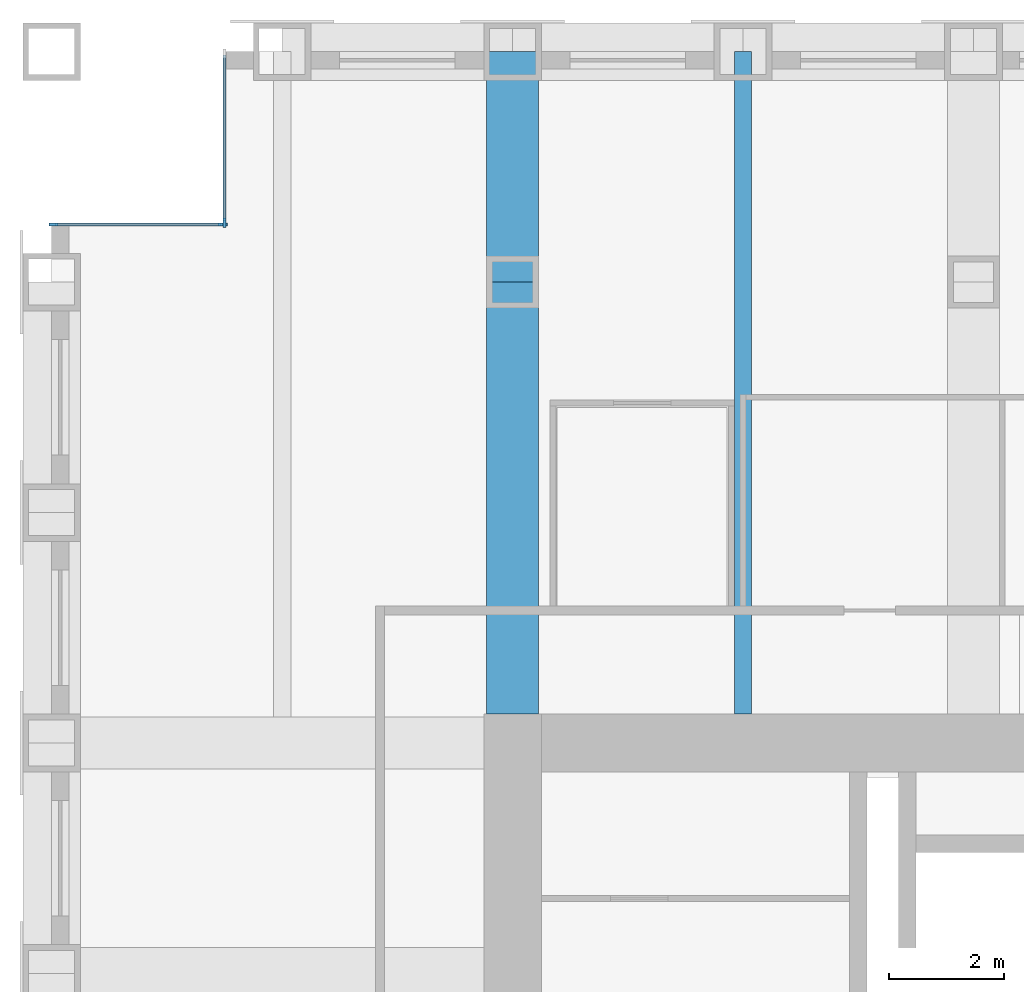
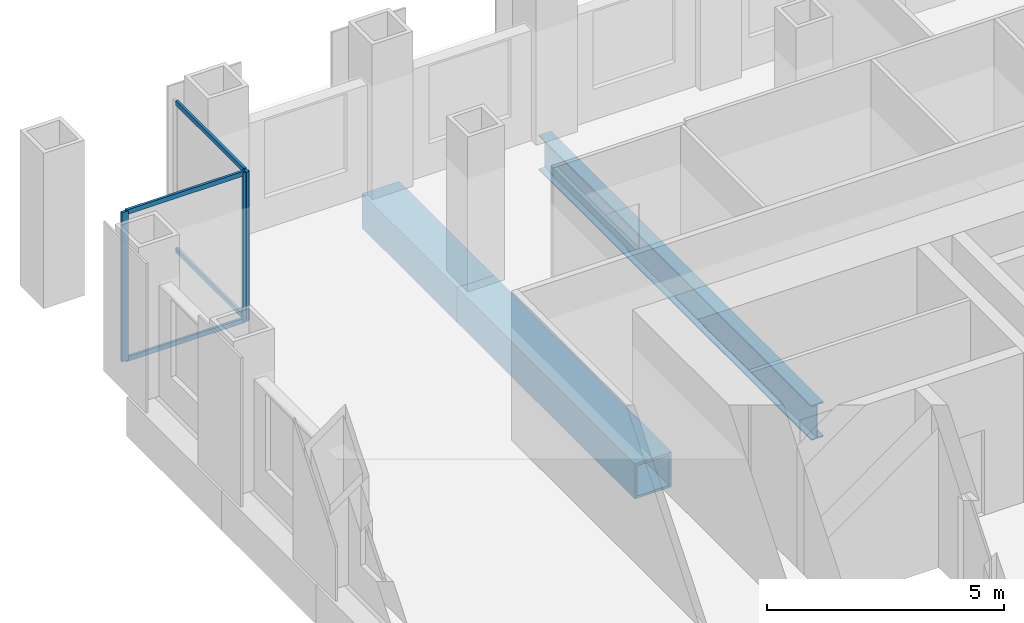
# One storey, part 6 of 16: 7 members, 3 beams, 2 elements without a shape of their own.
"""IFC4 building model written with IfcOpenShell, lengths in metres."""

from ifc_helpers import new_model, si_unit, direction, frame, origin, origin_2d, place, context, subcontext, project, spatial, rectangle, hollow_rectangle, i_section, extrude, material, material_profile, profile_set, type_object, element, aggregate, save


model = new_model("IFC4")

# Units and contexts
model_context = context("Model", 3, precision=1e-05, world=origin(), true_north=direction((0.0, 1.0)))
body_context = subcontext(model_context, "Body", "Model", "MODEL_VIEW")
ifc_project = project(units=[si_unit("LENGTHUNIT", "METRE"), si_unit("AREAUNIT", "SQUARE_METRE"), si_unit("VOLUMEUNIT", "CUBIC_METRE"), si_unit("PLANEANGLEUNIT", "RADIAN"), si_unit("MASSUNIT", "GRAM", prefix="KILO")], contexts=[model_context])

# Site, building, storey
site_placement = place(None, origin())
site = spatial("IfcSite", under=ifc_project, at=site_placement, CompositionType="ELEMENT")
building_placement = place(site_placement, origin())
building = spatial("IfcBuilding", under=site, at=building_placement, Name="Rimbunsela Tower", CompositionType="ELEMENT")
storey_placement = place(building_placement, frame((0.0, 0.0, 93.39990234375)))
storey = spatial("IfcBuildingStorey", under=building, at=storey_placement, Name="L22", CompositionType="ELEMENT", Elevation=93.39990234375)

# Beams
ifc_material_1 = material(Name="Steel BJ 55 (fy 410 MPa)", Category="steel")
ifc_material_profile_1 = material_profile(ifc_material_1, hollow_rectangle(XDim=0.89990234375, YDim=0.89990234375, WallThickness=0.06005859375, at=origin_2d()), Name="BOX 900x900x60")
ifc_profile_set_1 = profile_set([ifc_material_profile_1], Name="Steel BJ 55 (fy 410 MPa)")
beam_type_1 = type_object("IfcBeamType", Name="Beam BOX 900x900x60", PredefinedType="BEAM", material=ifc_profile_set_1)
beam_1_placement = place(storey_placement, frame((18.0, 36.5, -0.599853515625), z_axis=(0.0, 1.0, 0.0), x_axis=(-1.0, 0.0, 0.0)))
element("IfcBeam", 1, at=beam_1_placement, inside=storey, type_object=beam_type_1, Name="Beam B1 L22", PredefinedType="BEAM", context=body_context, shape_type="SweptSolid", body=[
    extrude(hollow_rectangle(XDim=0.89990234375, YDim=0.89990234375, WallThickness=0.06005859375, at=origin_2d()), origin(), (0.0, 0.0, 1.0), 7.5),
])
beam_2_placement = place(storey_placement, frame((18.0, 44.0, -0.599853515625), z_axis=(0.0, 1.0, 0.0), x_axis=(-1.0, 0.0, 0.0)))
element("IfcBeam", 2, at=beam_2_placement, inside=storey, type_object=beam_type_1, Name="Beam B1 L22", PredefinedType="BEAM", context=body_context, shape_type="SweptSolid", body=[
    extrude(hollow_rectangle(XDim=0.89990234375, YDim=0.89990234375, WallThickness=0.06005859375, at=origin_2d()), origin(), (0.0, 0.0, 1.0), 4.0),
])
ifc_material_2 = material(Name="Steel BJ 55 (fy 410 MPa)", Category="steel")
ifc_material_profile_2 = material_profile(ifc_material_2, i_section(OverallWidth=0.300048828125, OverallDepth=0.89990234375, WebThickness=0.01611328125, FlangeThickness=0.028076171875, FilletRadius=0.028076171875, at=origin_2d()), Name="H 900x300x16x28")
ifc_profile_set_2 = profile_set([ifc_material_profile_2], Name="Steel BJ 55 (fy 410 MPa)")
beam_type_2 = type_object("IfcBeamType", Name="Beam H 900x300x16x28", PredefinedType="BEAM", material=ifc_profile_set_2)
beam_3_placement = place(storey_placement, frame((22.0, 36.5, -0.599853515625), z_axis=(0.0, 1.0, 0.0), x_axis=(-1.0, 0.0, 0.0)))
element("IfcBeam", 3, at=beam_3_placement, inside=storey, type_object=beam_type_2, Name="Beam B2 L22", PredefinedType="BEAM", context=body_context, shape_type="SweptSolid", body=[
    extrude(i_section(OverallWidth=0.300048828125, OverallDepth=0.89990234375, WebThickness=0.01611328125, FlangeThickness=0.028076171875, FilletRadius=0.028076171875, at=origin_2d()), origin(), (0.0, 0.0, 1.0), 11.5),
])

# Curtain wall, member
ifc_material_3 = material(Name="Aluminium curtain wall", Category="aluminium")
curtain_wall_type = type_object("IfcCurtainWallType", Name="Corner glazing", PredefinedType="USERDEFINED", material=ifc_material_3)
curtain_wall_1_placement = place(storey_placement, origin())
curtain_wall_1 = element("IfcCurtainWall", 4, at=curtain_wall_1_placement, inside=storey, type_object=curtain_wall_type, Name="Corner glazing L22", ObjectType="CORNER GLAZING", PredefinedType="USERDEFINED")
ifc_material_4 = material(Name="Aluminium mullion", Category="aluminium")
ifc_material_profile_3 = material_profile(ifc_material_4, rectangle(XDim=0.06005859375, YDim=0.159912109375, at=origin_2d()), Name="Mullion 60x160")
ifc_profile_set_3 = profile_set([ifc_material_profile_3], Name="Aluminium mullion")
member_type_1 = type_object("IfcMemberType", Name="Curtain wall mullion 60x160", PredefinedType="MULLION", material=ifc_profile_set_3)
member_1_placement = place(storey_placement, frame((13.0, 45.030029296875, 0.0), z_axis=(0.0, 0.0, 1.0), x_axis=(1.0, 0.0, 0.0)))
member_1 = element("IfcMember", 5, at=member_1_placement, type_object=member_type_1, Name="CW5 mullion 2", PredefinedType="MULLION", context=body_context, shape_type="SweptSolid", body=[
    extrude(rectangle(XDim=0.06005859375, YDim=0.159912109375, at=origin_2d()), origin(), (0.0, 0.0, 1.0), 3.85009765625),
])

# Curtain wall, members
curtain_wall_2_placement = place(storey_placement, origin())
curtain_wall_2 = element("IfcCurtainWall", 6, at=curtain_wall_2_placement, inside=storey, type_object=curtain_wall_type, Name="Corner glazing L22", ObjectType="CORNER GLAZING", PredefinedType="USERDEFINED")
member_2_placement = place(storey_placement, frame((12.969970703125, 45.0, 0.0), z_axis=(0.0, 0.0, 1.0), x_axis=(0.0, -1.0, 0.0)))
member_2 = element("IfcMember", 7, at=member_2_placement, type_object=member_type_1, Name="CW5 mullion 1", PredefinedType="MULLION", context=body_context, shape_type="SweptSolid", body=[
    extrude(rectangle(XDim=0.06005859375, YDim=0.159912109375, at=origin_2d()), origin(), (0.0, 0.0, 1.0), 3.85009765625),
])
member_3_placement = place(storey_placement, frame((10.030029296875, 45.0, 0.0), z_axis=(0.0, 0.0, 1.0), x_axis=(0.0, -1.0, 0.0)))
member_3 = element("IfcMember", 8, at=member_3_placement, type_object=member_type_1, Name="CW5 mullion 2", PredefinedType="MULLION", context=body_context, shape_type="SweptSolid", body=[
    extrude(rectangle(XDim=0.06005859375, YDim=0.159912109375, at=origin_2d()), origin(), (0.0, 0.0, 1.0), 3.85009765625),
])

# Member
ifc_material_5 = material(Name="Aluminium transom", Category="aluminium")
ifc_material_profile_4 = material_profile(ifc_material_5, rectangle(XDim=0.06005859375, YDim=0.1201171875, at=origin_2d()), Name="Transom 60x120")
ifc_profile_set_4 = profile_set([ifc_material_profile_4], Name="Aluminium transom")
member_type_2 = type_object("IfcMemberType", Name="Curtain wall transom 60x120", PredefinedType="USERDEFINED", material=ifc_profile_set_4)
member_4_placement = place(storey_placement, frame((13.0, 47.93994140625, 0.030029296875), z_axis=(0.0, -1.0, 0.0), x_axis=(1.0, 0.0, 0.0)))
member_4 = element("IfcMember", 9, at=member_4_placement, type_object=member_type_2, Name="CW5 transom 1.1", ObjectType="TRANSOM", PredefinedType="USERDEFINED", context=body_context, shape_type="SweptSolid", body=[
    extrude(rectangle(XDim=0.06005859375, YDim=0.1201171875, at=origin_2d()), origin(), (0.0, 0.0, 1.0), 2.8798828125),
])

member_5_placement = place(storey_placement, frame((13.0, 47.93994140625, 3.820068359375), z_axis=(0.0, -1.0, 0.0), x_axis=(1.0, 0.0, 0.0)))
member_5 = element("IfcMember", 10, at=member_5_placement, type_object=member_type_2, Name="CW5 transom 1.2", ObjectType="TRANSOM", PredefinedType="USERDEFINED", context=body_context, shape_type="SweptSolid", body=[
    extrude(rectangle(XDim=0.06005859375, YDim=0.1201171875, at=origin_2d()), origin(), (0.0, 0.0, 1.0), 2.8798828125),
])

aggregate(curtain_wall_1, [member_1, member_4, member_5])

member_6_placement = place(storey_placement, frame((12.93994140625, 45.0, 0.030029296875), z_axis=(-1.0, 0.0, 0.0), x_axis=(0.0, -1.0, 0.0)))
member_6 = element("IfcMember", 11, at=member_6_placement, type_object=member_type_2, Name="CW5 transom 1.1", ObjectType="TRANSOM", PredefinedType="USERDEFINED", context=body_context, shape_type="SweptSolid", body=[
    extrude(rectangle(XDim=0.06005859375, YDim=0.1201171875, at=origin_2d()), origin(), (0.0, 0.0, 1.0), 2.8798828125),
])

member_7_placement = place(storey_placement, frame((12.93994140625, 45.0, 3.820068359375), z_axis=(-1.0, 0.0, 0.0), x_axis=(0.0, -1.0, 0.0)))
member_7 = element("IfcMember", 12, at=member_7_placement, type_object=member_type_2, Name="CW5 transom 1.2", ObjectType="TRANSOM", PredefinedType="USERDEFINED", context=body_context, shape_type="SweptSolid", body=[
    extrude(rectangle(XDim=0.06005859375, YDim=0.1201171875, at=origin_2d()), origin(), (0.0, 0.0, 1.0), 2.8798828125),
])

aggregate(curtain_wall_2, [member_2, member_3, member_6, member_7])

save(model, "model.ifc")
